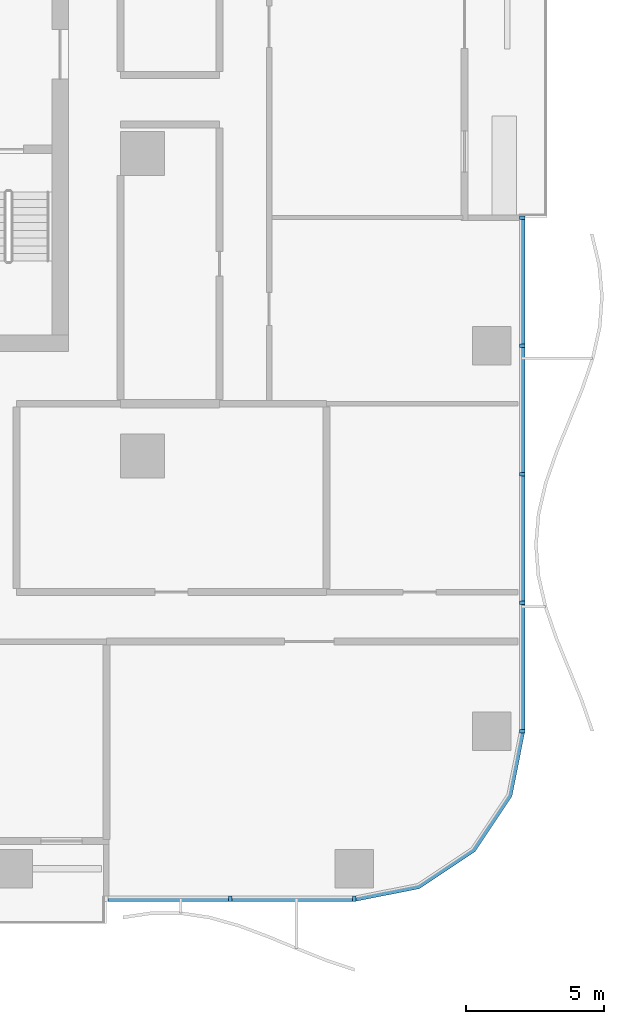
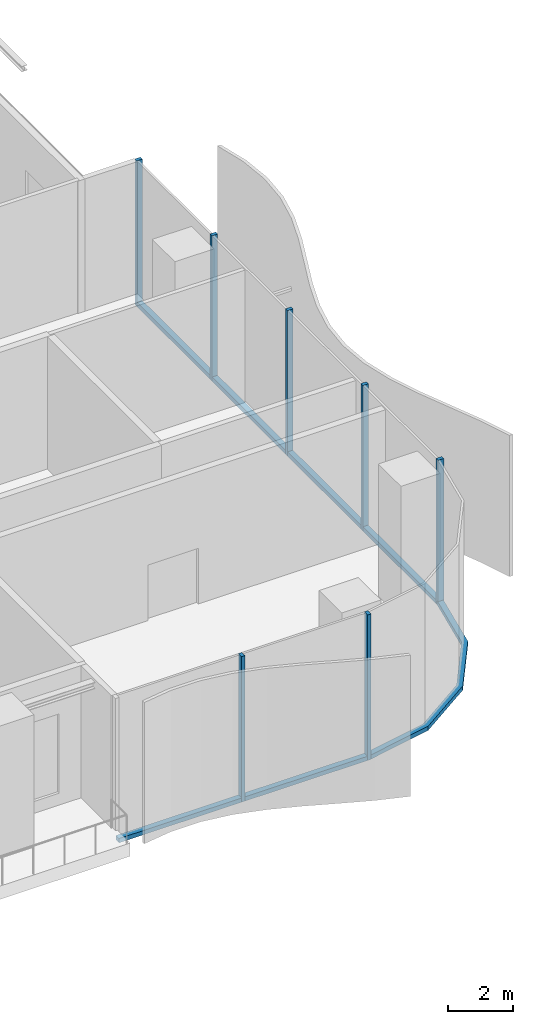
# One storey, part 3 of 21: 14 members, 3 elements without a shape of their own.
"""IFC4 building model written with IfcOpenShell, lengths in metres."""

from ifc_helpers import new_model, si_unit, direction, frame, origin, origin_2d, place, context, subcontext, project, spatial, polyline, rectangle, outline, extrude, material, material_profile, profile_set, type_object, element, aggregate, save


model = new_model("IFC4")

# Units and contexts
model_context = context("Model", 3, precision=1e-05, world=origin(), true_north=direction((0.0, 1.0)))
body_context = subcontext(model_context, "Body", "Model", "MODEL_VIEW")
ifc_project = project(units=[si_unit("LENGTHUNIT", "METRE"), si_unit("AREAUNIT", "SQUARE_METRE"), si_unit("VOLUMEUNIT", "CUBIC_METRE"), si_unit("PLANEANGLEUNIT", "RADIAN"), si_unit("MASSUNIT", "GRAM", prefix="KILO")], contexts=[model_context])

# Site, building, storey
site_placement = place(None, origin())
site = spatial("IfcSite", under=ifc_project, at=site_placement, CompositionType="ELEMENT")
building_placement = place(site_placement, origin())
building = spatial("IfcBuilding", under=site, at=building_placement, Name="Mopane Tessera Tower", CompositionType="ELEMENT")
storey_placement = place(building_placement, frame((0.0, 0.0, 20.0)))
storey = spatial("IfcBuildingStorey", under=building, at=storey_placement, Name="L03", CompositionType="ELEMENT", Elevation=20.0)

# Curtain wall, members
ifc_material_1 = material(Name="Aluminium frame", Category="aluminium")
curtain_wall_type = type_object("IfcCurtainWallType", Name="Podium unitised wall", PredefinedType="NOTDEFINED", material=ifc_material_1)
curtain_wall_1_placement = place(storey_placement, origin())
curtain_wall_1 = element("IfcCurtainWall", 1, at=curtain_wall_1_placement, inside=storey, type_object=curtain_wall_type, Name="e:cw:L03:S:9", PredefinedType="NOTDEFINED")
ifc_material_2 = material(Name="Aluminium frame", Category="aluminium")
ifc_material_profile_1 = material_profile(ifc_material_2, rectangle(XDim=0.125, YDim=0.199951171875, at=origin_2d()))
ifc_profile_set_1 = profile_set([ifc_material_profile_1], Name="Aluminium frame")
member_type_1 = type_object("IfcMemberType", Name="Aluminium mullion 125 x 200", PredefinedType="MULLION", material=ifc_profile_set_1)
member_1_placement = place(storey_placement, frame((20.291015625, -27.10009765625, -0.5), z_axis=(0.0, 0.0, 1.0), x_axis=(1.0, 0.0, 0.0)))
member_1 = element("IfcMember", 2, at=member_1_placement, type_object=member_type_1, Name="e:cw:L03:S:9:mu10", PredefinedType="MULLION", context=body_context, shape_type="SweptSolid", body=[
    extrude(rectangle(XDim=0.125, YDim=0.199951171875, at=origin_2d()), origin(), (0.0, 0.0, 1.0), 5.5),
])
member_2_placement = place(storey_placement, frame((24.800048828125, -27.10009765625, -0.5), z_axis=(0.0, 0.0, 1.0), x_axis=(1.0, 0.0, 0.0)))
member_2 = element("IfcMember", 3, at=member_2_placement, type_object=member_type_1, Name="e:cw:L03:S:9:mu11", PredefinedType="MULLION", context=body_context, shape_type="SweptSolid", body=[
    extrude(rectangle(XDim=0.125, YDim=0.199951171875, at=origin_2d()), origin(), (0.0, 0.0, 1.0), 5.5),
])

curtain_wall_2_placement = place(storey_placement, origin())
curtain_wall_2 = element("IfcCurtainWall", 4, at=curtain_wall_2_placement, inside=storey, type_object=curtain_wall_type, Name="e:cw:L03:E:0", PredefinedType="NOTDEFINED")
member_3_placement = place(storey_placement, frame((30.89990234375, -21.0, -0.5), z_axis=(0.0, 0.0, 1.0), x_axis=(0.0, 1.0, 0.0)))
member_3 = element("IfcMember", 5, at=member_3_placement, type_object=member_type_1, Name="e:cw:L03:E:0:mu0", PredefinedType="MULLION", context=body_context, shape_type="SweptSolid", body=[
    extrude(rectangle(XDim=0.125, YDim=0.199951171875, at=origin_2d()), origin(), (0.0, 0.0, 1.0), 5.5),
])
member_4_placement = place(storey_placement, frame((30.89990234375, -16.333251953125, -0.5), z_axis=(0.0, 0.0, 1.0), x_axis=(0.0, 1.0, 0.0)))
member_4 = element("IfcMember", 6, at=member_4_placement, type_object=member_type_1, Name="e:cw:L03:E:0:mu1", PredefinedType="MULLION", context=body_context, shape_type="SweptSolid", body=[
    extrude(rectangle(XDim=0.125, YDim=0.199951171875, at=origin_2d()), origin(), (0.0, 0.0, 1.0), 5.5),
])
member_5_placement = place(storey_placement, frame((30.89990234375, -11.666748046875, -0.5), z_axis=(0.0, 0.0, 1.0), x_axis=(0.0, 1.0, 0.0)))
member_5 = element("IfcMember", 7, at=member_5_placement, type_object=member_type_1, Name="e:cw:L03:E:0:mu2", PredefinedType="MULLION", context=body_context, shape_type="SweptSolid", body=[
    extrude(rectangle(XDim=0.125, YDim=0.199951171875, at=origin_2d()), origin(), (0.0, 0.0, 1.0), 5.5),
])
member_6_placement = place(storey_placement, frame((30.89990234375, -7.0, -0.5), z_axis=(0.0, 0.0, 1.0), x_axis=(0.0, 1.0, 0.0)))
member_6 = element("IfcMember", 8, at=member_6_placement, type_object=member_type_1, Name="e:cw:L03:E:0:mu3", PredefinedType="MULLION", context=body_context, shape_type="SweptSolid", body=[
    extrude(rectangle(XDim=0.125, YDim=0.199951171875, at=origin_2d()), origin(), (0.0, 0.0, 1.0), 5.5),
])
member_7_placement = place(storey_placement, frame((30.89990234375, -2.333251953125, -0.5), z_axis=(0.0, 0.0, 1.0), x_axis=(0.0, 1.0, 0.0)))
member_7 = element("IfcMember", 9, at=member_7_placement, type_object=member_type_1, Name="e:cw:L03:E:0:mu4", PredefinedType="MULLION", context=body_context, shape_type="SweptSolid", body=[
    extrude(rectangle(XDim=0.125, YDim=0.199951171875, at=origin_2d()), origin(), (0.0, 0.0, 1.0), 5.5),
])

# Member
ifc_material_3 = material(Name="Aluminium frame", Category="aluminium")
ifc_material_profile_2 = material_profile(ifc_material_3, rectangle(XDim=0.199951171875, YDim=0.159912109375, at=origin_2d()))
ifc_profile_set_2 = profile_set([ifc_material_profile_2], Name="Aluminium frame")
member_type_2 = type_object("IfcMemberType", Name="Aluminium transom 200 x 160", PredefinedType="USERDEFINED", material=ifc_profile_set_2)
member_8_placement = place(storey_placement, frame((15.84423828125, -27.10009765625, -0.419921875), z_axis=(1.0, 0.0, 0.0), x_axis=(0.0, 1.0, 0.0)))
member_8 = element("IfcMember", 10, at=member_8_placement, type_object=member_type_2, Name="e:cw:L03:S:9:tr9", ObjectType="TRANSOM", PredefinedType="USERDEFINED", context=body_context, shape_type="SweptSolid", body=[
    extrude(rectangle(XDim=0.199951171875, YDim=0.159912109375, at=origin_2d()), origin(), (0.0, 0.0, 1.0), 4.38427734375),
])

member_9_placement = place(storey_placement, frame((20.353515625, -27.10009765625, -0.419921875), z_axis=(1.0, 0.0, 0.0), x_axis=(0.0, 1.0, 0.0)))
member_9 = element("IfcMember", 11, at=member_9_placement, type_object=member_type_2, Name="e:cw:L03:S:9:tr10", ObjectType="TRANSOM", PredefinedType="USERDEFINED", context=body_context, shape_type="SweptSolid", body=[
    extrude(rectangle(XDim=0.199951171875, YDim=0.159912109375, at=origin_2d()), origin(), (0.0, 0.0, 1.0), 4.384033203125),
])

aggregate(curtain_wall_1, [member_1, member_2, member_8, member_9])

# Curtain wall, member
curtain_wall_3_placement = place(storey_placement, origin())
curtain_wall_3 = element("IfcCurtainWall", 12, at=curtain_wall_3_placement, inside=storey, type_object=curtain_wall_type, Name="e:cw:L03:CS", PredefinedType="NOTDEFINED")
member_10_placement = place(storey_placement, frame((0.0, 0.0, -0.5)))
member_10 = element("IfcMember", 13, at=member_10_placement, type_object=member_type_2, Name="e:cw:L03:CS:tr", ObjectType="TRANSOM", PredefinedType="USERDEFINED", context=body_context, shape_type="SweptSolid", body=[
    extrude(outline(polyline([(24.800048828125, -27.0), (27.09619140625, -26.543212890625), (29.042724609375, -25.24267578125), (30.34326171875, -23.296142578125), (30.800048828125, -21.0), (31.0, -21.0), (30.528076171875, -23.37255859375), (29.18408203125, -25.384033203125), (27.172607421875, -26.72802734375), (24.800048828125, -27.199951171875), (24.800048828125, -27.0)])), origin(), (0.0, 0.0, 1.0), 0.159912109375),
])
aggregate(curtain_wall_3, [member_10])

# Member
member_11_placement = place(storey_placement, frame((30.89990234375, -20.9375, -0.419921875), z_axis=(0.0, 1.0, 0.0), x_axis=(-1.0, 0.0, 0.0)))
member_11 = element("IfcMember", 14, at=member_11_placement, type_object=member_type_2, Name="e:cw:L03:E:0:tr0", ObjectType="TRANSOM", PredefinedType="USERDEFINED", context=body_context, shape_type="SweptSolid", body=[
    extrude(rectangle(XDim=0.199951171875, YDim=0.159912109375, at=origin_2d()), origin(), (0.0, 0.0, 1.0), 4.541748046875),
])

member_12_placement = place(storey_placement, frame((30.89990234375, -16.270751953125, -0.419921875), z_axis=(0.0, 1.0, 0.0), x_axis=(-1.0, 0.0, 0.0)))
member_12 = element("IfcMember", 15, at=member_12_placement, type_object=member_type_2, Name="e:cw:L03:E:0:tr1", ObjectType="TRANSOM", PredefinedType="USERDEFINED", context=body_context, shape_type="SweptSolid", body=[
    extrude(rectangle(XDim=0.199951171875, YDim=0.159912109375, at=origin_2d()), origin(), (0.0, 0.0, 1.0), 4.54150390625),
])

member_13_placement = place(storey_placement, frame((30.89990234375, -11.604248046875, -0.419921875), z_axis=(0.0, 1.0, 0.0), x_axis=(-1.0, 0.0, 0.0)))
member_13 = element("IfcMember", 16, at=member_13_placement, type_object=member_type_2, Name="e:cw:L03:E:0:tr2", ObjectType="TRANSOM", PredefinedType="USERDEFINED", context=body_context, shape_type="SweptSolid", body=[
    extrude(rectangle(XDim=0.199951171875, YDim=0.159912109375, at=origin_2d()), origin(), (0.0, 0.0, 1.0), 4.541748046875),
])

member_14_placement = place(storey_placement, frame((30.89990234375, -6.9375, -0.419921875), z_axis=(0.0, 1.0, 0.0), x_axis=(-1.0, 0.0, 0.0)))
member_14 = element("IfcMember", 17, at=member_14_placement, type_object=member_type_2, Name="e:cw:L03:E:0:tr3", ObjectType="TRANSOM", PredefinedType="USERDEFINED", context=body_context, shape_type="SweptSolid", body=[
    extrude(rectangle(XDim=0.199951171875, YDim=0.159912109375, at=origin_2d()), origin(), (0.0, 0.0, 1.0), 4.541748046875),
])

aggregate(curtain_wall_2, [member_3, member_4, member_5, member_6, member_7, member_11, member_12, member_13, member_14])

save(model, "model.ifc")
